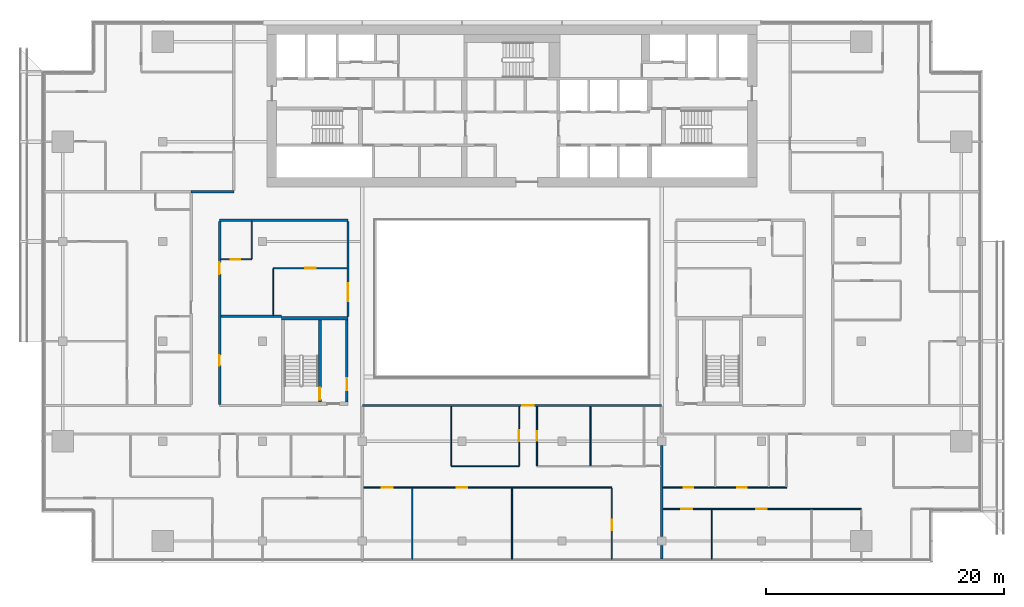
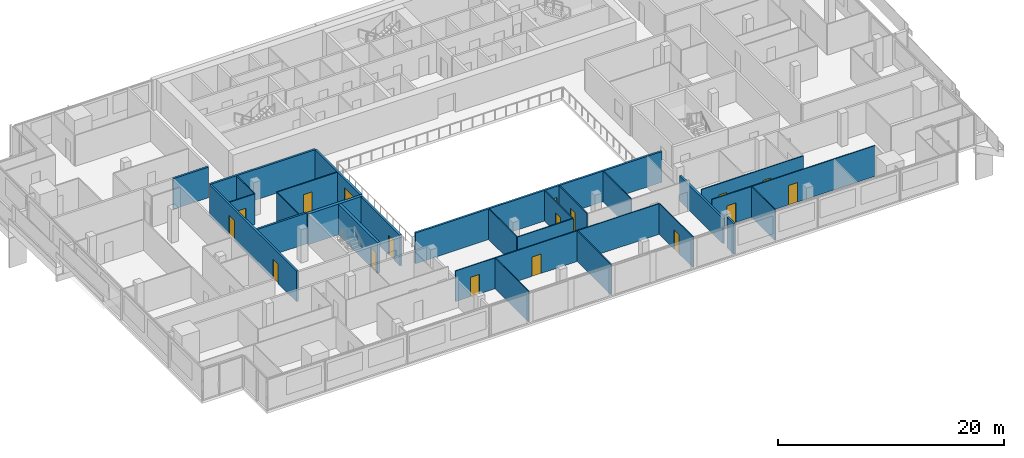
# One storey, part 17 of 27: 27 walls, 16 doors, 1 window, 17 openings.
"""IFC4 building model written with IfcOpenShell, lengths in metres."""

from ifc_helpers import new_model, si_unit, direction, frame, frame_2d, origin, place, context, subcontext, project, spatial, rectangle, extrude, material, layer, layer_set, type_object, element, fill, save


model = new_model("IFC4")

# Units and contexts
model_context = context("Model", 3, precision=1e-05, world=origin(), true_north=direction((0.0, 1.0)))
body_context = subcontext(model_context, "Body", "Model", "MODEL_VIEW")
ifc_project = project(units=[si_unit("LENGTHUNIT", "METRE"), si_unit("AREAUNIT", "SQUARE_METRE"), si_unit("VOLUMEUNIT", "CUBIC_METRE"), si_unit("PLANEANGLEUNIT", "RADIAN"), si_unit("MASSUNIT", "GRAM", prefix="KILO")], contexts=[model_context])

# Site, building, storey
site_placement = place(None, origin())
site = spatial("IfcSite", under=ifc_project, at=site_placement, CompositionType="ELEMENT")
building_placement = place(site_placement, origin())
building = spatial("IfcBuilding", under=site, at=building_placement, Name="Saffron Gate Tower", CompositionType="ELEMENT")
storey_placement = place(building_placement, frame((0.0, 0.0, 183.449951171875)))
storey = spatial("IfcBuildingStorey", under=building, at=storey_placement, Name="L45", CompositionType="ELEMENT", Elevation=183.449951171875)

# Wall, opening, door
ifc_material_1 = material(Name="Gypsum board partition on steel studs", Category="steel")
ifc_layer_1 = layer(ifc_material_1, 0.199951171875)
ifc_layer_set_1 = layer_set([ifc_layer_1], Name="CW10 Core partition 200")
wall_type_1 = type_object("IfcWallType", Name="CW10 Core partition 200", PredefinedType="PARTITIONING", material=ifc_layer_set_1)
wall_1_placement = place(storey_placement, frame((73.699951171875, 43.5, 0.0), z_axis=(0.0, 0.0, 1.0), x_axis=(0.0, 1.0, 0.0)))
wall_1 = element("IfcWall", 1, at=wall_1_placement, inside=storey, type_object=wall_type_1, Name="Wall CW10-L45-D-4", PredefinedType="PARTITIONING", context=body_context, shape_type="SweptSolid", body=[
    extrude(rectangle(XDim=6.89990234375, YDim=0.199951171875, at=frame_2d((3.449951171875, 0.0))), origin(), (0.0, 0.0, 1.0), 3.320068359375),
])
opening_1_placement = place(wall_1_placement, frame((1.0, 0.0, 0.0)))
opening_1 = element("IfcOpeningElement", 2, at=opening_1_placement, cuts=wall_1, Name="Opening CR-19", PredefinedType="OPENING", context=body_context, shape_type="SweptSolid", body=[
    extrude(rectangle(XDim=1.0, YDim=2.10009765625, at=frame_2d((0.5, 1.050048828125))), frame((0.0, 0.10986328125, 0.0), z_axis=(0.0, -1.0, 0.0), x_axis=(1.0, 0.0, 0.0)), (0.0, 0.0, 1.0), 0.219970703125),
])
ifc_material_2 = material(Name="Steel fire door set", Category="steel")
door_type_1 = type_object("IfcDoorType", Name="CD4 Lobby door 1000x2100 EI 120", OperationType="NOTDEFINED", PredefinedType="DOOR", material=ifc_material_2)
door_1_placement = place(opening_1_placement, origin())
door_1 = element("IfcDoor", 3, at=door_1_placement, inside=storey, type_object=door_type_1, Name="DOOR CR-19", OperationType="SINGLE_SWING_RIGHT", OverallHeight=2.10009765625, OverallWidth=1.0, PredefinedType="DOOR", context=body_context, shape_type="SweptSolid", body=[
    extrude(rectangle(XDim=1.0, YDim=2.10009765625, at=frame_2d((0.5, 1.050048828125))), frame((0.0, 0.02490234375, 0.0), z_axis=(0.0, -1.0, 0.0), x_axis=(1.0, 0.0, 0.0)), (0.0, 0.0, 1.0), 0.050048828125),
])
fill(opening_1, door_1)

ifc_material_3 = material(Name="Concrete C60", Category="concrete")
ifc_layer_2 = layer(ifc_material_3, 0.25)
ifc_layer_set_2 = layer_set([ifc_layer_2], Name="CW14 RC core wall 250 C60")
wall_type_2 = type_object("IfcWallType", Name="CW14 RC core wall 250 C60", PredefinedType="SOLIDWALL", material=ifc_layer_set_2)
wall_2_placement = place(storey_placement, frame((71.425048828125, 43.5, 0.0), z_axis=(0.0, 0.0, 1.0), x_axis=(0.0, 1.0, 0.0)))
wall_2 = element("IfcWall", 4, at=wall_2_placement, inside=storey, type_object=wall_type_2, Name="Wall CW14-L45-D-3", PredefinedType="SOLIDWALL", context=body_context, shape_type="SweptSolid", body=[
    extrude(rectangle(XDim=6.89990234375, YDim=0.25, at=frame_2d((3.449951171875, 0.0))), origin(), (0.0, 0.0, 1.0), 3.320068359375),
])
opening_2_placement = place(wall_2_placement, frame((0.199951171875, 0.0, 0.0)))
opening_2 = element("IfcOpeningElement", 5, at=opening_2_placement, cuts=wall_2, Name="Opening CR-20", PredefinedType="OPENING", context=body_context, shape_type="SweptSolid", body=[
    extrude(rectangle(XDim=1.0, YDim=2.10009765625, at=frame_2d((0.5, 1.050048828125))), frame((0.0, 0.135009765625, 0.0), z_axis=(0.0, -1.0, 0.0), x_axis=(1.0, 0.0, 0.0)), (0.0, 0.0, 1.0), 0.27001953125),
])
door_type_2 = type_object("IfcDoorType", Name="CD5 Stair door 1000x2100 EI 120", OperationType="NOTDEFINED", PredefinedType="DOOR", material=ifc_material_2)
door_2_placement = place(opening_2_placement, origin())
door_2 = element("IfcDoor", 6, at=door_2_placement, inside=storey, type_object=door_type_2, Name="DOOR CR-20", OperationType="SINGLE_SWING_LEFT", OverallHeight=2.10009765625, OverallWidth=1.0, PredefinedType="DOOR", context=body_context, shape_type="SweptSolid", body=[
    extrude(rectangle(XDim=1.0, YDim=2.10009765625, at=frame_2d((0.5, 1.050048828125))), frame((0.0, 0.02490234375, 0.0), z_axis=(0.0, -1.0, 0.0), x_axis=(1.0, 0.0, 0.0)), (0.0, 0.0, 1.0), 0.050048828125),
])
fill(opening_2, door_2)

# Wall
ifc_layer_3 = layer(ifc_material_3, 0.300048828125)
ifc_layer_set_3 = layer_set([ifc_layer_3], Name="CW17 RC core wall 300 C60")
wall_type_3 = type_object("IfcWallType", Name="CW17 RC core wall 300 C60", PredefinedType="SOLIDWALL", material=ifc_layer_set_3)
wall_3_placement = place(storey_placement, frame((68.199951171875, 50.550048828125, 0.0), z_axis=(0.0, 0.0, 1.0), x_axis=(1.0, 0.0, 0.0)))
element("IfcWall", 7, at=wall_3_placement, inside=storey, type_object=wall_type_3, Name="Wall CW17-L45-D-5", PredefinedType="SOLIDWALL", context=body_context, shape_type="SweptSolid", body=[
    extrude(rectangle(XDim=5.60009765625, YDim=0.300048828125, at=frame_2d((2.800048828125, 0.0))), origin(), (0.0, 0.0, 1.0), 3.320068359375),
])

# Wall, openings, doors
ifc_material_4 = material(Name="Plasterboard on steel studs", Category="steel")
ifc_layer_4 = layer(ifc_material_4, 0.10009765625)
ifc_layer_set_4 = layer_set([ifc_layer_4], Name="PW1 Partition 100")
wall_type_4 = type_object("IfcWallType", Name="PW1 Partition 100", PredefinedType="PARTITIONING", material=ifc_layer_set_4)
wall_4_placement = place(storey_placement, frame((117.0, 34.5, 0.0), z_axis=(0.0, 0.0, 1.0), x_axis=(-1.0, 0.0, 0.0)))
wall_4 = element("IfcWall", 8, at=wall_4_placement, inside=storey, type_object=wall_type_4, Name="Partition C4-1", PredefinedType="PARTITIONING", context=body_context, shape_type="SweptSolid", body=[
    extrude(rectangle(XDim=16.699951171875, YDim=0.10009765625, at=frame_2d((8.35009765625, 0.0))), origin(), (0.0, 0.0, 1.0), 3.320068359375),
])
opening_3_placement = place(wall_4_placement, frame((7.949951171875, 0.0, 0.0)))
opening_3 = element("IfcOpeningElement", 9, at=opening_3_placement, cuts=wall_4, Name="Opening C4-21", PredefinedType="OPENING", context=body_context, shape_type="SweptSolid", body=[
    extrude(rectangle(XDim=0.89990234375, YDim=2.10009765625, at=frame_2d((0.449951171875, 1.050048828125))), frame((0.0, 0.06005859375, 0.0), z_axis=(0.0, -1.0, 0.0), x_axis=(1.0, 0.0, 0.0)), (0.0, 0.0, 1.0), 0.1201171875),
])
opening_4_placement = place(wall_4_placement, frame((14.25, 0.0, 0.0)))
opening_4 = element("IfcOpeningElement", 10, at=opening_4_placement, cuts=wall_4, Name="Opening C4-20", PredefinedType="OPENING", context=body_context, shape_type="SweptSolid", body=[
    extrude(rectangle(XDim=0.89990234375, YDim=2.10009765625, at=frame_2d((0.449951171875, 1.050048828125))), frame((0.0, 0.06005859375, 0.0), z_axis=(0.0, -1.0, 0.0), x_axis=(1.0, 0.0, 0.0)), (0.0, 0.0, 1.0), 0.1201171875),
])
ifc_material_5 = material(Name="Timber door set", Category="wood")
door_type_3 = type_object("IfcDoorType", Name="RD1 Room door 900x2100", OperationType="NOTDEFINED", PredefinedType="DOOR", material=ifc_material_5)
door_3_placement = place(opening_3_placement, origin())
door_3 = element("IfcDoor", 11, at=door_3_placement, inside=storey, type_object=door_type_3, Name="Door C4-21", OperationType="SINGLE_SWING_LEFT", OverallHeight=2.10009765625, OverallWidth=0.89990234375, PredefinedType="DOOR", context=body_context, shape_type="SweptSolid", body=[
    extrude(rectangle(XDim=0.89990234375, YDim=2.10009765625, at=frame_2d((0.449951171875, 1.050048828125))), frame((0.0, 0.02490234375, 0.0), z_axis=(0.0, -1.0, 0.0), x_axis=(1.0, 0.0, 0.0)), (0.0, 0.0, 1.0), 0.050048828125),
])
fill(opening_3, door_3)
door_4_placement = place(opening_4_placement, origin())
door_4 = element("IfcDoor", 12, at=door_4_placement, inside=storey, type_object=door_type_3, Name="Door C4-20", OperationType="SINGLE_SWING_RIGHT", OverallHeight=2.10009765625, OverallWidth=0.89990234375, PredefinedType="DOOR", context=body_context, shape_type="SweptSolid", body=[
    extrude(rectangle(XDim=0.89990234375, YDim=2.10009765625, at=frame_2d((0.449951171875, 1.050048828125))), frame((0.0, 0.02490234375, 0.0), z_axis=(0.0, -1.0, 0.0), x_axis=(1.0, 0.0, 0.0)), (0.0, 0.0, 1.0), 0.050048828125),
])
fill(opening_4, door_4)

wall_5_placement = place(storey_placement, frame((96.0, 36.300048828125, 0.0), z_axis=(0.0, 0.0, 1.0), x_axis=(-1.0, 0.0, 0.0)))
wall_5 = element("IfcWall", 13, at=wall_5_placement, inside=storey, type_object=wall_type_4, Name="Partition C4-5", PredefinedType="PARTITIONING", context=body_context, shape_type="SweptSolid", body=[
    extrude(rectangle(XDim=20.89990234375, YDim=0.10009765625, at=frame_2d((10.449951171875, 0.0))), origin(), (0.0, 0.0, 1.0), 3.320068359375),
])
opening_5_placement = place(wall_5_placement, frame((12.14990234375, 0.0, 0.0)))
opening_5 = element("IfcOpeningElement", 14, at=opening_5_placement, cuts=wall_5, Name="Opening C4-16", PredefinedType="OPENING", context=body_context, shape_type="SweptSolid", body=[
    extrude(rectangle(XDim=0.89990234375, YDim=2.10009765625, at=frame_2d((0.449951171875, 1.050048828125))), frame((0.0, 0.06005859375, 0.0), z_axis=(0.0, -1.0, 0.0), x_axis=(1.0, 0.0, 0.0)), (0.0, 0.0, 1.0), 0.1201171875),
])
opening_6_placement = place(wall_5_placement, frame((18.449951171875, 0.0, 0.0)))
opening_6 = element("IfcOpeningElement", 15, at=opening_6_placement, cuts=wall_5, Name="Opening C4-15", PredefinedType="OPENING", context=body_context, shape_type="SweptSolid", body=[
    extrude(rectangle(XDim=0.89990234375, YDim=2.10009765625, at=frame_2d((0.449951171875, 1.050048828125))), frame((0.0, 0.06005859375, 0.0), z_axis=(0.0, -1.0, 0.0), x_axis=(1.0, 0.0, 0.0)), (0.0, 0.0, 1.0), 0.1201171875),
])
door_5_placement = place(opening_5_placement, origin())
door_5 = element("IfcDoor", 16, at=door_5_placement, inside=storey, type_object=door_type_3, Name="Door C4-16", OperationType="SINGLE_SWING_RIGHT", OverallHeight=2.10009765625, OverallWidth=0.89990234375, PredefinedType="DOOR", context=body_context, shape_type="SweptSolid", body=[
    extrude(rectangle(XDim=0.89990234375, YDim=2.10009765625, at=frame_2d((0.449951171875, 1.050048828125))), frame((0.0, 0.02490234375, 0.0), z_axis=(0.0, -1.0, 0.0), x_axis=(1.0, 0.0, 0.0)), (0.0, 0.0, 1.0), 0.050048828125),
])
fill(opening_5, door_5)
door_6_placement = place(opening_6_placement, origin())
door_6 = element("IfcDoor", 17, at=door_6_placement, inside=storey, type_object=door_type_3, Name="Door C4-15", OperationType="SINGLE_SWING_RIGHT", OverallHeight=2.10009765625, OverallWidth=0.89990234375, PredefinedType="DOOR", context=body_context, shape_type="SweptSolid", body=[
    extrude(rectangle(XDim=0.89990234375, YDim=2.10009765625, at=frame_2d((0.449951171875, 1.050048828125))), frame((0.0, 0.02490234375, 0.0), z_axis=(0.0, -1.0, 0.0), x_axis=(1.0, 0.0, 0.0)), (0.0, 0.0, 1.0), 0.050048828125),
])
fill(opening_6, door_6)

wall_6_placement = place(storey_placement, frame((100.300048828125, 36.300048828125, 0.0), z_axis=(0.0, 0.0, 1.0), x_axis=(1.0, 0.0, 0.0)))
wall_6 = element("IfcWall", 18, at=wall_6_placement, inside=storey, type_object=wall_type_4, Name="Partition C4-6", PredefinedType="PARTITIONING", context=body_context, shape_type="SweptSolid", body=[
    extrude(rectangle(XDim=10.39990234375, YDim=0.10009765625, at=frame_2d((5.199951171875, 0.0))), origin(), (0.0, 0.0, 1.0), 3.320068359375),
])
opening_7_placement = place(wall_6_placement, frame((1.75, 0.0, 0.0)))
opening_7 = element("IfcOpeningElement", 19, at=opening_7_placement, cuts=wall_6, Name="Opening C4-44", PredefinedType="OPENING", context=body_context, shape_type="SweptSolid", body=[
    extrude(rectangle(XDim=0.800048828125, YDim=2.10009765625, at=frame_2d((0.39990234375, 1.050048828125))), frame((0.0, 0.06005859375, 0.0), z_axis=(0.0, -1.0, 0.0), x_axis=(1.0, 0.0, 0.0)), (0.0, 0.0, 1.0), 0.1201171875),
])
opening_8_placement = place(wall_6_placement, frame((6.25, 0.0, 0.0)))
opening_8 = element("IfcOpeningElement", 20, at=opening_8_placement, cuts=wall_6, Name="Opening C4-45", PredefinedType="OPENING", context=body_context, shape_type="SweptSolid", body=[
    extrude(rectangle(XDim=0.800048828125, YDim=2.10009765625, at=frame_2d((0.39990234375, 1.050048828125))), frame((0.0, 0.06005859375, 0.0), z_axis=(0.0, -1.0, 0.0), x_axis=(1.0, 0.0, 0.0)), (0.0, 0.0, 1.0), 0.1201171875),
])
door_type_4 = type_object("IfcDoorType", Name="RD2 Bathroom door 800x2100", OperationType="NOTDEFINED", PredefinedType="DOOR", material=ifc_material_5)
door_7_placement = place(opening_7_placement, origin())
door_7 = element("IfcDoor", 21, at=door_7_placement, inside=storey, type_object=door_type_4, Name="Door C4-44", OperationType="SINGLE_SWING_LEFT", OverallHeight=2.10009765625, OverallWidth=0.800048828125, PredefinedType="DOOR", context=body_context, shape_type="SweptSolid", body=[
    extrude(rectangle(XDim=0.800048828125, YDim=2.10009765625, at=frame_2d((0.39990234375, 1.050048828125))), frame((0.0, 0.02490234375, 0.0), z_axis=(0.0, -1.0, 0.0), x_axis=(1.0, 0.0, 0.0)), (0.0, 0.0, 1.0), 0.050048828125),
])
fill(opening_7, door_7)
door_8_placement = place(opening_8_placement, origin())
door_8 = element("IfcDoor", 22, at=door_8_placement, inside=storey, type_object=door_type_4, Name="Door C4-45", OperationType="SINGLE_SWING_RIGHT", OverallHeight=2.10009765625, OverallWidth=0.800048828125, PredefinedType="DOOR", context=body_context, shape_type="SweptSolid", body=[
    extrude(rectangle(XDim=0.800048828125, YDim=2.10009765625, at=frame_2d((0.39990234375, 1.050048828125))), frame((0.0, 0.02490234375, 0.0), z_axis=(0.0, -1.0, 0.0), x_axis=(1.0, 0.0, 0.0)), (0.0, 0.0, 1.0), 0.050048828125),
])
fill(opening_8, door_8)

# Wall
wall_7_placement = place(storey_placement, frame((82.5, 38.10009765625, 0.0), z_axis=(0.0, 0.0, 1.0), x_axis=(1.0, 0.0, 0.0)))
element("IfcWall", 23, at=wall_7_placement, inside=storey, type_object=wall_type_4, Name="Partition C4-10", PredefinedType="PARTITIONING", context=body_context, shape_type="SweptSolid", body=[
    extrude(rectangle(XDim=5.699951171875, YDim=0.10009765625, at=frame_2d((2.85009765625, 0.0))), origin(), (0.0, 0.0, 1.0), 3.320068359375),
])

# Wall, opening, door
wall_8_placement = place(storey_placement, frame((73.699951171875, 54.75, 0.0), z_axis=(0.0, 0.0, 1.0), x_axis=(-1.0, 0.0, 0.0)))
wall_8 = element("IfcWall", 24, at=wall_8_placement, inside=storey, type_object=wall_type_4, Name="Partition C4-32", PredefinedType="PARTITIONING", context=body_context, shape_type="SweptSolid", body=[
    extrude(rectangle(XDim=6.199951171875, YDim=0.10009765625, at=frame_2d((3.10009765625, 0.0))), origin(), (0.0, 0.0, 1.0), 3.320068359375),
])
opening_9_placement = place(wall_8_placement, frame((2.60009765625, 0.0, 0.0)))
opening_9 = element("IfcOpeningElement", 25, at=opening_9_placement, cuts=wall_8, Name="Opening C4-38", PredefinedType="OPENING", context=body_context, shape_type="SweptSolid", body=[
    extrude(rectangle(XDim=0.89990234375, YDim=2.10009765625, at=frame_2d((0.449951171875, 1.050048828125))), frame((0.0, 0.06005859375, 0.0), z_axis=(0.0, -1.0, 0.0), x_axis=(1.0, 0.0, 0.0)), (0.0, 0.0, 1.0), 0.1201171875),
])
door_9_placement = place(opening_9_placement, origin())
door_9 = element("IfcDoor", 26, at=door_9_placement, inside=storey, type_object=door_type_3, Name="Door C4-38", OperationType="SINGLE_SWING_LEFT", OverallHeight=2.10009765625, OverallWidth=0.89990234375, PredefinedType="DOOR", context=body_context, shape_type="SweptSolid", body=[
    extrude(rectangle(XDim=0.89990234375, YDim=2.10009765625, at=frame_2d((0.449951171875, 1.050048828125))), frame((0.0, 0.02490234375, 0.0), z_axis=(0.0, -1.0, 0.0), x_axis=(1.0, 0.0, 0.0)), (0.0, 0.0, 1.0), 0.050048828125),
])
fill(opening_9, door_9)

wall_9_placement = place(storey_placement, frame((63.10009765625, 55.5, 0.0), z_axis=(0.0, 0.0, 1.0), x_axis=(1.0, 0.0, 0.0)))
wall_9 = element("IfcWall", 27, at=wall_9_placement, inside=storey, type_object=wall_type_4, Name="Partition C4-35", PredefinedType="PARTITIONING", context=body_context, shape_type="SweptSolid", body=[
    extrude(rectangle(XDim=2.599853515625, YDim=0.10009765625, at=frame_2d((1.2998046875, 0.0))), origin(), (0.0, 0.0, 1.0), 3.320068359375),
])
opening_10_placement = place(wall_9_placement, frame((0.85009765625, 0.0, 0.0)))
opening_10 = element("IfcOpeningElement", 28, at=opening_10_placement, cuts=wall_9, Name="Opening C4-52", PredefinedType="OPENING", context=body_context, shape_type="SweptSolid", body=[
    extrude(rectangle(XDim=0.800048828125, YDim=2.10009765625, at=frame_2d((0.39990234375, 1.050048828125))), frame((0.0, 0.06005859375, 0.0), z_axis=(0.0, -1.0, 0.0), x_axis=(1.0, 0.0, 0.0)), (0.0, 0.0, 1.0), 0.1201171875),
])
door_10_placement = place(opening_10_placement, origin())
door_10 = element("IfcDoor", 29, at=door_10_placement, inside=storey, type_object=door_type_4, Name="Door C4-52", OperationType="SINGLE_SWING_LEFT", OverallHeight=2.10009765625, OverallWidth=0.800048828125, PredefinedType="DOOR", context=body_context, shape_type="SweptSolid", body=[
    extrude(rectangle(XDim=0.800048828125, YDim=2.10009765625, at=frame_2d((0.39990234375, 1.050048828125))), frame((0.0, 0.02490234375, 0.0), z_axis=(0.0, -1.0, 0.0), x_axis=(1.0, 0.0, 0.0)), (0.0, 0.0, 1.0), 0.050048828125),
])
fill(opening_10, door_10)

# Walls
wall_10_placement = place(storey_placement, frame((65.699951171875, 58.699951171875, 0.0), z_axis=(0.0, 0.0, 1.0), x_axis=(0.0, -1.0, 0.0)))
element("IfcWall", 30, at=wall_10_placement, inside=storey, type_object=wall_type_4, Name="Partition C4-72", PredefinedType="PARTITIONING", context=body_context, shape_type="SweptSolid", body=[
    extrude(rectangle(XDim=3.14990234375, YDim=0.10009765625, at=frame_2d((1.574951171875, 0.0))), origin(), (0.0, 0.0, 1.0), 3.320068359375),
])
wall_11_placement = place(storey_placement, frame((67.5, 54.699951171875, 0.0), z_axis=(0.0, 0.0, 1.0), x_axis=(0.0, -1.0, 0.0)))
element("IfcWall", 31, at=wall_11_placement, inside=storey, type_object=wall_type_4, Name="Partition C4-75", PredefinedType="PARTITIONING", context=body_context, shape_type="SweptSolid", body=[
    extrude(rectangle(XDim=3.89990234375, YDim=0.10009765625, at=frame_2d((1.949951171875, 0.0))), origin(), (0.0, 0.0, 1.0), 3.320068359375),
])
wall_12_placement = place(storey_placement, frame((79.199951171875, 36.25, 0.0), z_axis=(0.0, 0.0, 1.0), x_axis=(0.0, -1.0, 0.0)))
element("IfcWall", 32, at=wall_12_placement, inside=storey, type_object=wall_type_4, Name="Partition C4-82", PredefinedType="PARTITIONING", context=body_context, shape_type="SweptSolid", body=[
    extrude(rectangle(XDim=5.969970703125, YDim=0.10009765625, at=frame_2d((2.98486328125, 0.0))), origin(), (0.0, 0.0, 1.0), 3.320068359375),
])
wall_13_placement = place(storey_placement, frame((82.5, 43.10009765625, 0.0), z_axis=(0.0, 0.0, 1.0), x_axis=(0.0, -1.0, 0.0)))
element("IfcWall", 33, at=wall_13_placement, inside=storey, type_object=wall_type_4, Name="Partition C4-83", PredefinedType="PARTITIONING", context=body_context, shape_type="SweptSolid", body=[
    extrude(rectangle(XDim=4.9501953125, YDim=0.10009765625, at=frame_2d((2.47509765625, 0.0))), origin(), (0.0, 0.0, 1.0), 3.320068359375),
])
wall_14_placement = place(storey_placement, frame((87.60009765625, 36.25, 0.0), z_axis=(0.0, 0.0, 1.0), x_axis=(0.0, -1.0, 0.0)))
element("IfcWall", 34, at=wall_14_placement, inside=storey, type_object=wall_type_4, Name="Partition C4-84", PredefinedType="PARTITIONING", context=body_context, shape_type="SweptSolid", body=[
    extrude(rectangle(XDim=5.969970703125, YDim=0.10009765625, at=frame_2d((2.98486328125, 0.0))), origin(), (0.0, 0.0, 1.0), 3.320068359375),
])

# Wall, opening, door
wall_15_placement = place(storey_placement, frame((88.199951171875, 38.14990234375, 0.0), z_axis=(0.0, 0.0, 1.0), x_axis=(0.0, 1.0, 0.0)))
wall_15 = element("IfcWall", 35, at=wall_15_placement, inside=storey, type_object=wall_type_4, Name="Partition C4-85", PredefinedType="PARTITIONING", context=body_context, shape_type="SweptSolid", body=[
    extrude(rectangle(XDim=4.9501953125, YDim=0.10009765625, at=frame_2d((2.47509765625, 0.0))), origin(), (0.0, 0.0, 1.0), 3.320068359375),
])
opening_11_placement = place(wall_15_placement, frame((2.050048828125, 0.0, 0.0)))
opening_11 = element("IfcOpeningElement", 36, at=opening_11_placement, cuts=wall_15, Name="Opening C4-18", PredefinedType="OPENING", context=body_context, shape_type="SweptSolid", body=[
    extrude(rectangle(XDim=0.89990234375, YDim=2.10009765625, at=frame_2d((0.449951171875, 1.050048828125))), frame((0.0, 0.06005859375, 0.0), z_axis=(0.0, -1.0, 0.0), x_axis=(1.0, 0.0, 0.0)), (0.0, 0.0, 1.0), 0.1201171875),
])
door_11_placement = place(opening_11_placement, origin())
door_11 = element("IfcDoor", 37, at=door_11_placement, inside=storey, type_object=door_type_3, Name="Door C4-18", OperationType="SINGLE_SWING_RIGHT", OverallHeight=2.10009765625, OverallWidth=0.89990234375, PredefinedType="DOOR", context=body_context, shape_type="SweptSolid", body=[
    extrude(rectangle(XDim=0.89990234375, YDim=2.10009765625, at=frame_2d((0.449951171875, 1.050048828125))), frame((0.0, 0.02490234375, 0.0), z_axis=(0.0, -1.0, 0.0), x_axis=(1.0, 0.0, 0.0)), (0.0, 0.0, 1.0), 0.050048828125),
])
fill(opening_11, door_11)

wall_16_placement = place(storey_placement, frame((89.699951171875, 43.10009765625, 0.0), z_axis=(0.0, 0.0, 1.0), x_axis=(0.0, -1.0, 0.0)))
wall_16 = element("IfcWall", 38, at=wall_16_placement, inside=storey, type_object=wall_type_4, Name="Partition C4-86", PredefinedType="PARTITIONING", context=body_context, shape_type="SweptSolid", body=[
    extrude(rectangle(XDim=4.9501953125, YDim=0.10009765625, at=frame_2d((2.47509765625, 0.0))), origin(), (0.0, 0.0, 1.0), 3.320068359375),
])
opening_12_placement = place(wall_16_placement, frame((2.050048828125, 0.0, 0.0)))
opening_12 = element("IfcOpeningElement", 39, at=opening_12_placement, cuts=wall_16, Name="Opening C4-42", PredefinedType="OPENING", context=body_context, shape_type="SweptSolid", body=[
    extrude(rectangle(XDim=0.800048828125, YDim=2.10009765625, at=frame_2d((0.39990234375, 1.050048828125))), frame((0.0, 0.06005859375, 0.0), z_axis=(0.0, -1.0, 0.0), x_axis=(1.0, 0.0, 0.0)), (0.0, 0.0, 1.0), 0.1201171875),
])
door_12_placement = place(opening_12_placement, origin())
door_12 = element("IfcDoor", 40, at=door_12_placement, inside=storey, type_object=door_type_4, Name="Door C4-42", OperationType="SINGLE_SWING_LEFT", OverallHeight=2.10009765625, OverallWidth=0.800048828125, PredefinedType="DOOR", context=body_context, shape_type="SweptSolid", body=[
    extrude(rectangle(XDim=0.800048828125, YDim=2.10009765625, at=frame_2d((0.39990234375, 1.050048828125))), frame((0.0, 0.02490234375, 0.0), z_axis=(0.0, -1.0, 0.0), x_axis=(1.0, 0.0, 0.0)), (0.0, 0.0, 1.0), 0.050048828125),
])
fill(opening_12, door_12)

# Wall
wall_17_placement = place(storey_placement, frame((94.199951171875, 43.10009765625, 0.0), z_axis=(0.0, 0.0, 1.0), x_axis=(0.0, -1.0, 0.0)))
element("IfcWall", 41, at=wall_17_placement, inside=storey, type_object=wall_type_4, Name="Partition C4-87", PredefinedType="PARTITIONING", context=body_context, shape_type="SweptSolid", body=[
    extrude(rectangle(XDim=4.9501953125, YDim=0.10009765625, at=frame_2d((2.47509765625, 0.0))), origin(), (0.0, 0.0, 1.0), 3.320068359375),
])

# Wall, opening, door
wall_18_placement = place(storey_placement, frame((96.0, 30.280029296875, 0.0), z_axis=(0.0, 0.0, 1.0), x_axis=(0.0, 1.0, 0.0)))
wall_18 = element("IfcWall", 42, at=wall_18_placement, inside=storey, type_object=wall_type_4, Name="Partition C4-88", PredefinedType="PARTITIONING", context=body_context, shape_type="SweptSolid", body=[
    extrude(rectangle(XDim=5.969970703125, YDim=0.10009765625, at=frame_2d((2.98486328125, 0.0))), origin(), (0.0, 0.0, 1.0), 3.320068359375),
])
opening_13_placement = place(wall_18_placement, frame((2.419921875, 0.0, 0.0)))
opening_13 = element("IfcOpeningElement", 43, at=opening_13_placement, cuts=wall_18, Name="Opening C4-17", PredefinedType="OPENING", context=body_context, shape_type="SweptSolid", body=[
    extrude(rectangle(XDim=0.89990234375, YDim=2.10009765625, at=frame_2d((0.449951171875, 1.050048828125))), frame((0.0, 0.06005859375, 0.0), z_axis=(0.0, -1.0, 0.0), x_axis=(1.0, 0.0, 0.0)), (0.0, 0.0, 1.0), 0.1201171875),
])
door_13_placement = place(opening_13_placement, origin())
door_13 = element("IfcDoor", 44, at=door_13_placement, inside=storey, type_object=door_type_3, Name="Door C4-17", OperationType="SINGLE_SWING_LEFT", OverallHeight=2.10009765625, OverallWidth=0.89990234375, PredefinedType="DOOR", context=body_context, shape_type="SweptSolid", body=[
    extrude(rectangle(XDim=0.89990234375, YDim=2.10009765625, at=frame_2d((0.449951171875, 1.050048828125))), frame((0.0, 0.02490234375, 0.0), z_axis=(0.0, -1.0, 0.0), x_axis=(1.0, 0.0, 0.0)), (0.0, 0.0, 1.0), 0.050048828125),
])
fill(opening_13, door_13)

# Walls
wall_19_placement = place(storey_placement, frame((104.39990234375, 34.449951171875, 0.0), z_axis=(0.0, 0.0, 1.0), x_axis=(0.0, -1.0, 0.0)))
element("IfcWall", 45, at=wall_19_placement, inside=storey, type_object=wall_type_4, Name="Partition C4-94", PredefinedType="PARTITIONING", context=body_context, shape_type="SweptSolid", body=[
    extrude(rectangle(XDim=4.169921875, YDim=0.10009765625, at=frame_2d((2.0849609375, 0.0))), origin(), (0.0, 0.0, 1.0), 3.320068359375),
])
ifc_material_6 = material(Name="Clay brick masonry, rendered", Category="masonry")
ifc_layer_5 = layer(ifc_material_6, 0.199951171875)
ifc_layer_set_5 = layer_set([ifc_layer_5], Name="PW2 Demising wall 200")
wall_type_5 = type_object("IfcWallType", Name="PW2 Demising wall 200", PredefinedType="PARTITIONING", material=ifc_layer_set_5)
wall_20_placement = place(storey_placement, frame((63.10009765625, 50.699951171875, 0.0), z_axis=(0.0, 0.0, 1.0), x_axis=(1.0, 0.0, 0.0)))
element("IfcWall", 46, at=wall_20_placement, inside=storey, type_object=wall_type_5, Name="Wall C4-27", PredefinedType="PARTITIONING", context=body_context, shape_type="SweptSolid", body=[
    extrude(rectangle(XDim=5.099853515625, YDim=0.199951171875, at=frame_2d((2.5498046875, 0.0))), origin(), (0.0, 0.0, 1.0), 3.320068359375),
])
wall_21_placement = place(storey_placement, frame((100.199951171875, 31.429931640625, 0.0), z_axis=(0.0, 0.0, 1.0), x_axis=(0.0, -1.0, 0.0)))
element("IfcWall", 47, at=wall_21_placement, inside=storey, type_object=wall_type_5, Name="Wall C4-91", PredefinedType="PARTITIONING", context=body_context, shape_type="SweptSolid", body=[
    extrude(rectangle(XDim=1.14990234375, YDim=0.199951171875, at=frame_2d((0.574951171875, 0.0))), origin(), (0.0, 0.0, 1.0), 3.320068359375),
])
wall_22_placement = place(storey_placement, frame((100.199951171875, 39.830078125, 0.0), z_axis=(0.0, 0.0, 1.0), x_axis=(0.0, -1.0, 0.0)))
element("IfcWall", 48, at=wall_22_placement, inside=storey, type_object=wall_type_5, Name="Wall C4-92", PredefinedType="PARTITIONING", context=body_context, shape_type="SweptSolid", body=[
    extrude(rectangle(XDim=7.66015625, YDim=0.199951171875, at=frame_2d((3.830078125, 0.0))), origin(), (0.0, 0.0, 1.0), 2.719970703125),
])

# Wall, opening, door
ifc_layer_6 = layer(ifc_material_6, 0.199951171875)
ifc_layer_set_6 = layer_set([ifc_layer_6], Name="PW3 Corridor wall 200")
wall_type_6 = type_object("IfcWallType", Name="PW3 Corridor wall 200", PredefinedType="PARTITIONING", material=ifc_layer_set_6)
wall_23_placement = place(storey_placement, frame((100.199951171875, 43.199951171875, 0.0), z_axis=(0.0, 0.0, 1.0), x_axis=(-1.0, 0.0, 0.0)))
wall_23 = element("IfcWall", 49, at=wall_23_placement, inside=storey, type_object=wall_type_6, Name="Wall C4-18", PredefinedType="PARTITIONING", context=body_context, shape_type="SweptSolid", body=[
    extrude(rectangle(XDim=25.199951171875, YDim=0.199951171875, at=frame_2d((12.60009765625, 0.0))), origin(), (0.0, 0.0, 1.0), 3.320068359375),
])
opening_14_placement = place(wall_23_placement, frame((10.75, 0.0, 0.0)))
opening_14 = element("IfcOpeningElement", 50, at=opening_14_placement, cuts=wall_23, Name="Opening C4-2", PredefinedType="OPENING", context=body_context, shape_type="SweptSolid", body=[
    extrude(rectangle(XDim=1.0, YDim=2.10009765625, at=frame_2d((0.5, 1.050048828125))), frame((0.0, 0.10986328125, 0.0), z_axis=(0.0, -1.0, 0.0), x_axis=(1.0, 0.0, 0.0)), (0.0, 0.0, 1.0), 0.219970703125),
])
ifc_material_7 = material(Name="Timber fire door set", Category="wood")
door_type_5 = type_object("IfcDoorType", Name="FD1 Flat entry door 1000x2100", OperationType="NOTDEFINED", PredefinedType="DOOR", material=ifc_material_7)
door_14_placement = place(opening_14_placement, origin())
door_14 = element("IfcDoor", 51, at=door_14_placement, inside=storey, type_object=door_type_5, Name="Door C4-2", OperationType="SINGLE_SWING_RIGHT", OverallHeight=2.10009765625, OverallWidth=1.0, PredefinedType="DOOR", context=body_context, shape_type="SweptSolid", body=[
    extrude(rectangle(XDim=1.0, YDim=2.10009765625, at=frame_2d((0.5, 1.050048828125))), frame((0.0, 0.02490234375, 0.0), z_axis=(0.0, -1.0, 0.0), x_axis=(1.0, 0.0, 0.0)), (0.0, 0.0, 1.0), 0.050048828125),
])
fill(opening_14, door_14)

# Walls
wall_24_placement = place(storey_placement, frame((63.0, 58.800048828125, 0.0), z_axis=(0.0, 0.0, 1.0), x_axis=(1.0, 0.0, 0.0)))
element("IfcWall", 52, at=wall_24_placement, inside=storey, type_object=wall_type_6, Name="Wall C4-39", PredefinedType="PARTITIONING", context=body_context, shape_type="SweptSolid", body=[
    extrude(rectangle(XDim=10.800048828125, YDim=0.199951171875, at=frame_2d((5.39990234375, 0.0))), origin(), (0.0, 0.0, 1.0), 3.320068359375),
])
wall_25_placement = place(storey_placement, frame((60.60009765625, 61.199951171875, 0.0), z_axis=(0.0, 0.0, 1.0), x_axis=(1.0, 0.0, 0.0)))
element("IfcWall", 53, at=wall_25_placement, inside=storey, type_object=wall_type_6, Name="Wall C4-43", PredefinedType="PARTITIONING", context=body_context, shape_type="SweptSolid", body=[
    extrude(rectangle(XDim=3.599853515625, YDim=0.199951171875, at=frame_2d((1.7998046875, 0.0))), origin(), (0.0, 0.0, 1.0), 3.320068359375),
])

# Wall, openings, doors
wall_26_placement = place(storey_placement, frame((63.0, 58.699951171875, 0.0), z_axis=(0.0, 0.0, 1.0), x_axis=(0.0, -1.0, 0.0)))
wall_26 = element("IfcWall", 54, at=wall_26_placement, inside=storey, type_object=wall_type_6, Name="Wall C4-68", PredefinedType="PARTITIONING", context=body_context, shape_type="SweptSolid", body=[
    extrude(rectangle(XDim=15.39990234375, YDim=0.199951171875, at=frame_2d((7.699951171875, 0.0))), origin(), (0.0, 0.0, 1.0), 3.320068359375),
])
opening_15_placement = place(wall_26_placement, frame((3.449951171875, 0.0, 0.0)))
opening_15 = element("IfcOpeningElement", 55, at=opening_15_placement, cuts=wall_26, Name="Opening C4-8", PredefinedType="OPENING", context=body_context, shape_type="SweptSolid", body=[
    extrude(rectangle(XDim=1.0, YDim=2.10009765625, at=frame_2d((0.5, 1.050048828125))), frame((0.0, 0.10986328125, 0.0), z_axis=(0.0, -1.0, 0.0), x_axis=(1.0, 0.0, 0.0)), (0.0, 0.0, 1.0), 0.219970703125),
])
opening_16_placement = place(wall_26_placement, frame((11.25, 0.0, 0.0)))
opening_16 = element("IfcOpeningElement", 56, at=opening_16_placement, cuts=wall_26, Name="Opening C4-55", PredefinedType="OPENING", context=body_context, shape_type="SweptSolid", body=[
    extrude(rectangle(XDim=0.89990234375, YDim=2.10009765625, at=frame_2d((0.449951171875, 1.050048828125))), frame((0.0, 0.10986328125, 0.0), z_axis=(0.0, -1.0, 0.0), x_axis=(1.0, 0.0, 0.0)), (0.0, 0.0, 1.0), 0.219970703125),
])
door_15_placement = place(opening_15_placement, origin())
door_15 = element("IfcDoor", 57, at=door_15_placement, inside=storey, type_object=door_type_5, Name="Door C4-8", OperationType="SINGLE_SWING_LEFT", OverallHeight=2.10009765625, OverallWidth=1.0, PredefinedType="DOOR", context=body_context, shape_type="SweptSolid", body=[
    extrude(rectangle(XDim=1.0, YDim=2.10009765625, at=frame_2d((0.5, 1.050048828125))), frame((0.0, 0.02490234375, 0.0), z_axis=(0.0, -1.0, 0.0), x_axis=(1.0, 0.0, 0.0)), (0.0, 0.0, 1.0), 0.050048828125),
])
fill(opening_15, door_15)
door_type_6 = type_object("IfcDoorType", Name="SD1 Service door 900x2100", OperationType="NOTDEFINED", PredefinedType="DOOR", material=ifc_material_2)
door_16_placement = place(opening_16_placement, origin())
door_16 = element("IfcDoor", 58, at=door_16_placement, inside=storey, type_object=door_type_6, Name="Door C4-55", OperationType="SINGLE_SWING_RIGHT", OverallHeight=2.10009765625, OverallWidth=0.89990234375, PredefinedType="DOOR", context=body_context, shape_type="SweptSolid", body=[
    extrude(rectangle(XDim=0.89990234375, YDim=2.10009765625, at=frame_2d((0.449951171875, 1.050048828125))), frame((0.0, 0.02490234375, 0.0), z_axis=(0.0, -1.0, 0.0), x_axis=(1.0, 0.0, 0.0)), (0.0, 0.0, 1.0), 0.050048828125),
])
fill(opening_16, door_16)

# Wall, opening, window
wall_27_placement = place(storey_placement, frame((73.800048828125, 58.699951171875, 0.0), z_axis=(0.0, 0.0, 1.0), x_axis=(0.0, -1.0, 0.0)))
wall_27 = element("IfcWall", 59, at=wall_27_placement, inside=storey, type_object=wall_type_6, Name="Wall C4-78", PredefinedType="PARTITIONING", context=body_context, shape_type="SweptSolid", body=[
    extrude(rectangle(XDim=8.0, YDim=0.199951171875, at=frame_2d((4.0, 0.0))), origin(), (0.0, 0.0, 1.0), 3.320068359375),
])
opening_17_placement = place(wall_27_placement, frame((5.22509765625, 0.0, 0.89990234375)))
opening_17 = element("IfcOpeningElement", 60, at=opening_17_placement, cuts=wall_27, Name="Opening GW1", PredefinedType="OPENING", context=body_context, shape_type="SweptSolid", body=[
    extrude(rectangle(XDim=1.5, YDim=1.5, at=frame_2d((0.75, 0.75))), frame((0.0, 0.10986328125, 0.0), z_axis=(0.0, -1.0, 0.0), x_axis=(1.0, 0.0, 0.0)), (0.0, 0.0, 1.0), 0.219970703125),
])
ifc_material_8 = material(Name="Fire-resisting laminated glass in steel frame", Category="steel")
ifc_layer_7 = layer(ifc_material_8, 0.06005859375)
ifc_layer_set_7 = layer_set([ifc_layer_7], Name="GW1 Gallery window 1500x1500")
window_type = type_object("IfcWindowType", Name="GW1 Gallery window 1500x1500", PartitioningType="SINGLE_PANEL", PredefinedType="WINDOW", material=ifc_layer_set_7)
window_placement = place(opening_17_placement, origin())
window = element("IfcWindow", 61, at=window_placement, inside=storey, type_object=window_type, Name="GW1 window C4-H-B1", OverallHeight=1.5, OverallWidth=1.5, PartitioningType="SINGLE_PANEL", PredefinedType="WINDOW", context=body_context, shape_type="SweptSolid", body=[
    extrude(rectangle(XDim=1.5, YDim=1.5, at=frame_2d((0.75, 0.75))), frame((0.0, 0.030029296875, 0.0), z_axis=(0.0, -1.0, 0.0), x_axis=(1.0, 0.0, 0.0)), (0.0, 0.0, 1.0), 0.06005859375),
])
fill(opening_17, window)

save(model, "model.ifc")
